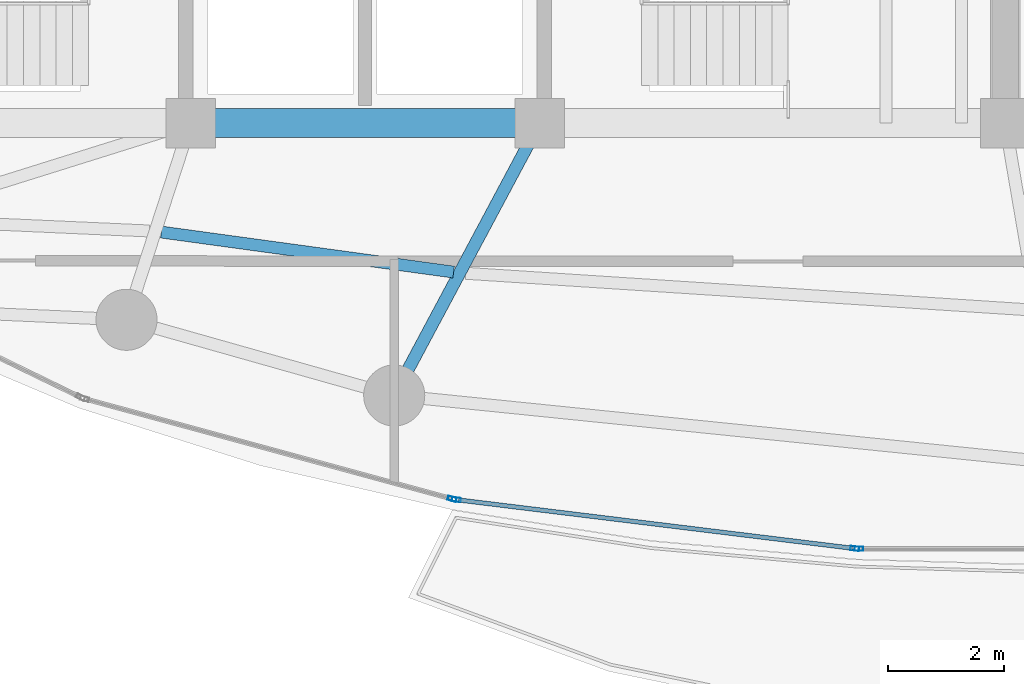
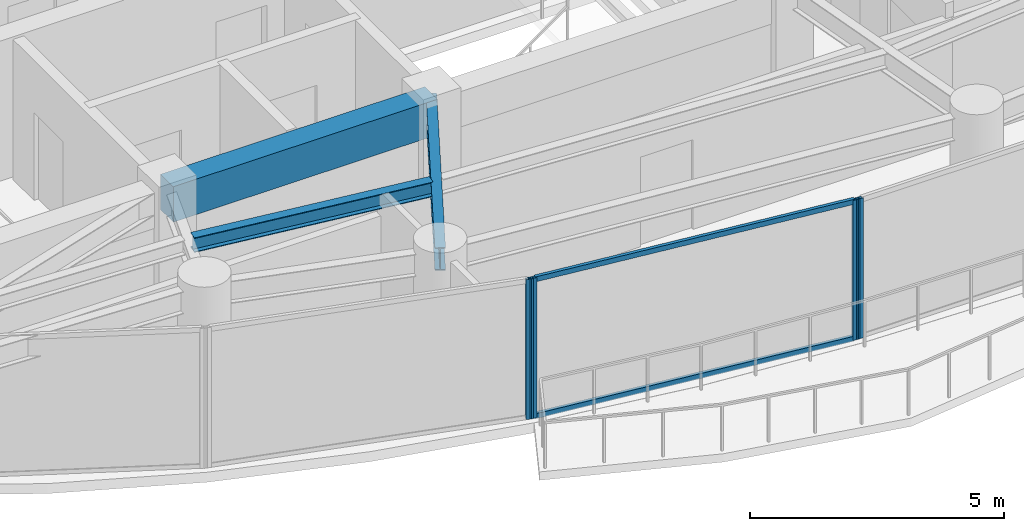
# One storey, part 5 of 28: 6 members, 3 beams, 3 elements without a shape of their own.
"""IFC4 building model written with IfcOpenShell, lengths in metres."""

from ifc_helpers import new_model, si_unit, direction, frame, origin, origin_2d, place, context, subcontext, project, spatial, rectangle, hollow_rectangle, i_section, extrude, material, layer, layer_set, material_profile, profile_set, type_object, element, aggregate, save


model = new_model("IFC4")

# Units and contexts
model_context = context("Model", 3, precision=1e-05, world=origin(), true_north=direction((0.0, 1.0)))
body_context = subcontext(model_context, "Body", "Model", "MODEL_VIEW")
ifc_project = project(units=[si_unit("LENGTHUNIT", "METRE"), si_unit("AREAUNIT", "SQUARE_METRE"), si_unit("VOLUMEUNIT", "CUBIC_METRE"), si_unit("PLANEANGLEUNIT", "RADIAN"), si_unit("MASSUNIT", "GRAM", prefix="KILO")], contexts=[model_context])

# Site, building, storey
site_placement = place(None, origin())
site = spatial("IfcSite", under=ifc_project, at=site_placement, CompositionType="ELEMENT")
building_placement = place(site_placement, origin())
building = spatial("IfcBuilding", under=site, at=building_placement, Name="Kazevale Care Tower and Concert Hall", CompositionType="ELEMENT")
storey_placement = place(building_placement, frame((0.0, 0.0, 228.0)))
storey = spatial("IfcBuildingStorey", under=building, at=storey_placement, Name="L60", CompositionType="ELEMENT", Elevation=228.0)

# Curtain wall, member
ifc_material_1 = material(Name="Aluminium 6063-T6 and Low-E Glass", Category="aluminium")
ifc_layer = layer(ifc_material_1, 0.179931640625)
ifc_layer_set = layer_set([ifc_layer], Name="Aluminium 6063-T6 and Low-E Glass")
curtain_wall_type = type_object("IfcCurtainWallType", Name="Sheltered Concave Balcony Curtain Wall CW-5", PredefinedType="NOTDEFINED", material=ifc_layer_set)
curtain_wall_1_placement = place(storey_placement, origin())
curtain_wall_1 = element("IfcCurtainWall", 1, at=curtain_wall_1_placement, inside=storey, type_object=curtain_wall_type, Name="cw:L60:f06", PredefinedType="NOTDEFINED")
ifc_material_2 = material(Name="Aluminium 6063-T6", Category="aluminium")
ifc_material_profile_1 = material_profile(ifc_material_2, hollow_rectangle(XDim=0.074951171875, YDim=0.14990234375, WallThickness=0.00390625, at=origin_2d()), Name="ALU75x150x4")
ifc_profile_set_1 = profile_set([ifc_material_profile_1], Name="Aluminium 6063-T6")
member_type_1 = type_object("IfcMemberType", Name="CW-5 Mullion ALU75x150x4", PredefinedType="MULLION", material=ifc_profile_set_1)
member_1_placement = place(storey_placement, frame((41.487548828125, 16.284912109375, 0.0), z_axis=(0.0, 0.0, 1.0), x_axis=(0.0, -1.0, 0.0)))
member_1 = element("IfcMember", 2, at=member_1_placement, type_object=member_type_1, Name="CW-5 mullion 2", PredefinedType="MULLION", context=body_context, shape_type="SweptSolid", body=[
    extrude(hollow_rectangle(XDim=0.074951171875, YDim=0.14990234375, WallThickness=0.00390625, at=origin_2d()), origin(), (0.0, 0.0, 1.0), 3.360107421875),
])
aggregate(curtain_wall_1, [member_1])

# Curtain wall, members
curtain_wall_2_placement = place(storey_placement, origin())
curtain_wall_2 = element("IfcCurtainWall", 3, at=curtain_wall_2_placement, inside=storey, type_object=curtain_wall_type, Name="cw:L60:f07", PredefinedType="NOTDEFINED")
member_2_placement = place(storey_placement, frame((41.412841796875, 16.28955078125, 0.0), z_axis=(0.0, 0.0, 1.0), x_axis=(-0.121650797964, -0.992572961225, 0.0)))
member_2 = element("IfcMember", 4, at=member_2_placement, type_object=member_type_1, Name="CW-5 mullion 1", PredefinedType="MULLION", context=body_context, shape_type="SweptSolid", body=[
    extrude(hollow_rectangle(XDim=0.074951171875, YDim=0.14990234375, WallThickness=0.00390625, at=origin_2d()), origin(), (0.0, 0.0, 1.0), 3.360107421875),
])
member_3_placement = place(storey_placement, frame((34.568115234375, 17.12841796875, 0.0), z_axis=(0.0, 0.0, 1.0), x_axis=(-0.121650797964, -0.992572961225, 0.0)))
member_3 = element("IfcMember", 5, at=member_3_placement, type_object=member_type_1, Name="CW-5 mullion 2", PredefinedType="MULLION", context=body_context, shape_type="SweptSolid", body=[
    extrude(hollow_rectangle(XDim=0.074951171875, YDim=0.14990234375, WallThickness=0.00390625, at=origin_2d()), origin(), (0.0, 0.0, 1.0), 3.360107421875),
])

# Curtain wall, member
curtain_wall_3_placement = place(storey_placement, origin())
curtain_wall_3 = element("IfcCurtainWall", 6, at=curtain_wall_3_placement, inside=storey, type_object=curtain_wall_type, Name="cw:L60:f08", PredefinedType="NOTDEFINED")
member_4_placement = place(storey_placement, frame((34.494873046875, 17.142822265625, 0.0), z_axis=(0.0, 0.0, 1.0), x_axis=(-0.262848968947, -0.964836991167, 0.0)))
member_4 = element("IfcMember", 7, at=member_4_placement, type_object=member_type_1, Name="CW-5 mullion 1", PredefinedType="MULLION", context=body_context, shape_type="SweptSolid", body=[
    extrude(hollow_rectangle(XDim=0.074951171875, YDim=0.14990234375, WallThickness=0.00390625, at=origin_2d()), origin(), (0.0, 0.0, 1.0), 3.360107421875),
])
aggregate(curtain_wall_3, [member_4])

# Member
ifc_material_profile_2 = material_profile(ifc_material_2, hollow_rectangle(XDim=0.074951171875, YDim=0.1201171875, WallThickness=0.00390625, at=origin_2d()), Name="ALU75x120x4")
ifc_profile_set_2 = profile_set([ifc_material_profile_2], Name="Aluminium 6063-T6")
member_type_2 = type_object("IfcMemberType", Name="CW-5 Transom ALU75x120x4", PredefinedType="USERDEFINED", material=ifc_profile_set_2)
member_5_placement = place(storey_placement, frame((41.37548828125, 16.294189453125, 0.03759765625), z_axis=(-0.992575633306, 0.121628993941, 0.0), x_axis=(-0.121628993941, -0.992575633306, 0.0)))
member_5 = element("IfcMember", 8, at=member_5_placement, type_object=member_type_2, Name="CW-5 transom 1.1", ObjectType="TRANSOM", PredefinedType="USERDEFINED", context=body_context, shape_type="SweptSolid", body=[
    extrude(hollow_rectangle(XDim=0.074951171875, YDim=0.1201171875, WallThickness=0.00390625, at=origin_2d()), origin(), (0.0, 0.0, 1.0), 6.820556640625),
])

member_6_placement = place(storey_placement, frame((41.37548828125, 16.294189453125, 3.322509765625), z_axis=(-0.992575633306, 0.121628993941, 0.0), x_axis=(-0.121628993941, -0.992575633306, 0.0)))
member_6 = element("IfcMember", 9, at=member_6_placement, type_object=member_type_2, Name="CW-5 transom 1.2", ObjectType="TRANSOM", PredefinedType="USERDEFINED", context=body_context, shape_type="SweptSolid", body=[
    extrude(hollow_rectangle(XDim=0.074951171875, YDim=0.1201171875, WallThickness=0.00390625, at=origin_2d()), origin(), (0.0, 0.0, 1.0), 6.820556640625),
])

aggregate(curtain_wall_2, [member_2, member_3, member_5, member_6])

# Beams
ifc_material_3 = material(Name="Concrete C60", Category="concrete")
ifc_material_profile_3 = material_profile(ifc_material_3, rectangle(XDim=0.5, YDim=0.85009765625, at=origin_2d()), Name="RC-B500x850")
ifc_profile_set_3 = profile_set([ifc_material_profile_3], Name="Concrete C60")
beam_type_1 = type_object("IfcBeamType", Name="Core Coupling Beam RC500x850", PredefinedType="LINTEL", material=ifc_profile_set_3)
beam_1_placement = place(storey_placement, frame((30.0, 23.60009765625, 2.93505859375), z_axis=(1.0, 0.0, 0.0), x_axis=(0.0, 1.0, 0.0)))
element("IfcBeam", 10, at=beam_1_placement, inside=storey, type_object=beam_type_1, Name="beam:L60:coretie:2", PredefinedType="LINTEL", context=body_context, shape_type="SweptSolid", body=[
    extrude(rectangle(XDim=0.5, YDim=0.85009765625, at=origin_2d()), origin(), (0.0, 0.0, 1.0), 6.0),
])
ifc_material_4 = material(Name="Steel ASTM A572 Gr 50", Category="steel")
ifc_material_profile_4 = material_profile(ifc_material_4, i_section(OverallWidth=0.2119140625, OverallDepth=0.5439453125, WebThickness=0.01318359375, FlangeThickness=0.021240234375, at=origin_2d()), Name="W530x123")
ifc_profile_set_4 = profile_set([ifc_material_profile_4], Name="Steel ASTM A572 Gr 50")
beam_type_2 = type_object("IfcBeamType", Name="Radial Floor Girder W530x123", PredefinedType="BEAM", material=ifc_profile_set_4)
beam_2_placement = place(storey_placement, frame((36.0, 23.60009765625, 3.087890625), z_axis=(-0.471161293943, -0.88204707079, 0.0), x_axis=(0.88204707079, -0.471161293943, 0.0)))
element("IfcBeam", 11, at=beam_2_placement, inside=storey, type_object=beam_type_2, Name="beam:L60:rad:12", PredefinedType="BEAM", context=body_context, shape_type="SweptSolid", body=[
    extrude(i_section(OverallWidth=0.2119140625, OverallDepth=0.5439453125, WebThickness=0.01318359375, FlangeThickness=0.021240234375, at=origin_2d()), origin(), (0.0, 0.0, 1.0), 5.30615234375),
])
ifc_material_profile_5 = material_profile(ifc_material_4, i_section(OverallWidth=0.205078125, OverallDepth=0.35400390625, WebThickness=0.009521484375, FlangeThickness=0.016845703125, at=origin_2d()), Name="W360x79")
ifc_profile_set_5 = profile_set([ifc_material_profile_5], Name="Steel ASTM A572 Gr 50")
beam_type_3 = type_object("IfcBeamType", Name="Secondary Floor Joist W360x79", PredefinedType="JOIST", material=ifc_profile_set_5)
beam_3_placement = place(storey_placement, frame((29.4990234375, 21.72705078125, 3.18310546875), z_axis=(0.990772043119, -0.13553877148, 0.0), x_axis=(0.13553877148, 0.990772043119, 0.0)))
element("IfcBeam", 12, at=beam_3_placement, inside=storey, type_object=beam_type_3, Name="beam:L60:joist:11", PredefinedType="JOIST", context=body_context, shape_type="SweptSolid", body=[
    extrude(i_section(OverallWidth=0.205078125, OverallDepth=0.35400390625, WebThickness=0.009521484375, FlangeThickness=0.016845703125, at=origin_2d()), origin(), (0.0, 0.0, 1.0), 5.06884765625),
])

save(model, "model.ifc")
